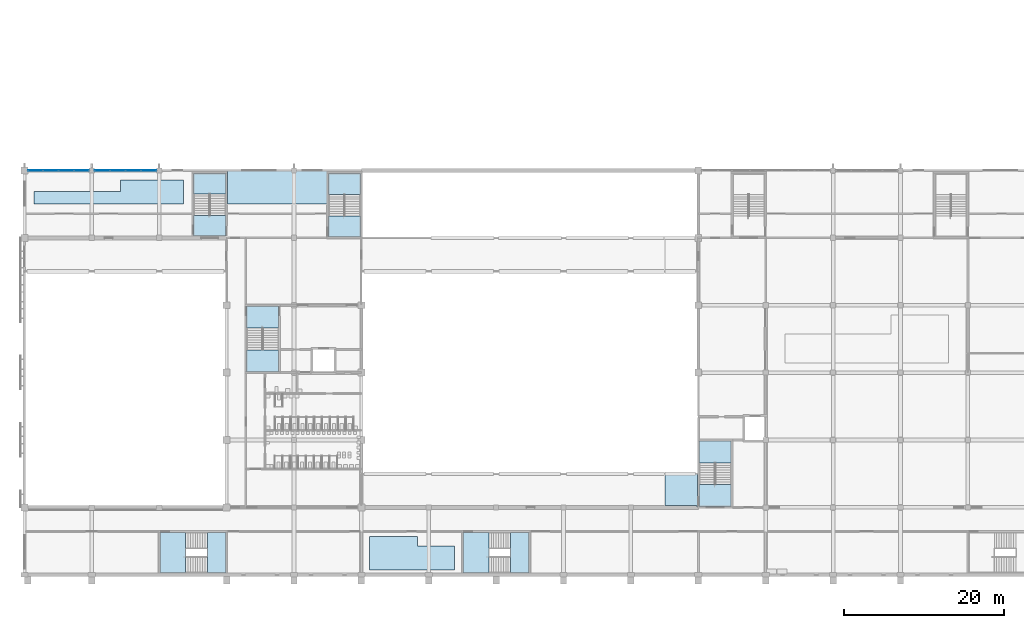
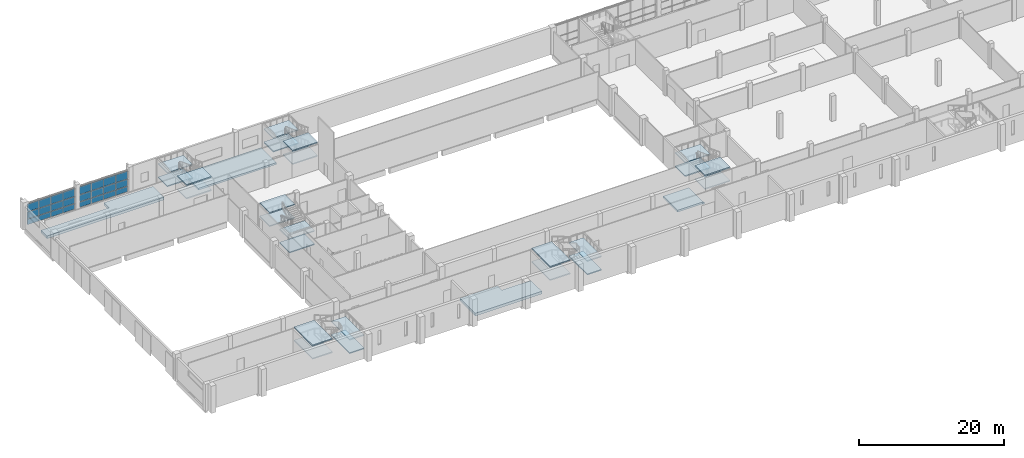
# One storey, part 15 of 64: 28 slabs, 24 plates, 8 elements without a shape of their own.
"""IFC4 building model written with IfcOpenShell, lengths in metres."""

from ifc_helpers import new_model, si_unit, direction, frame, origin, origin_2d, place, context, subcontext, project, spatial, polyline, rectangle, outline, extrude, material, layer, layer_set, type_object, element, aggregate, save


model = new_model("IFC4")

# Units and contexts
model_context = context("Model", 3, precision=1e-05, world=origin(), true_north=direction((0.0, 1.0)))
body_context = subcontext(model_context, "Body", "Model", "MODEL_VIEW")
ifc_project = project(units=[si_unit("LENGTHUNIT", "METRE"), si_unit("AREAUNIT", "SQUARE_METRE"), si_unit("VOLUMEUNIT", "CUBIC_METRE"), si_unit("PLANEANGLEUNIT", "RADIAN"), si_unit("MASSUNIT", "GRAM", prefix="KILO")], contexts=[model_context])

# Site, building, storey
site_placement = place(None, origin())
site = spatial("IfcSite", under=ifc_project, at=site_placement, CompositionType="ELEMENT")
building_placement = place(site_placement, origin())
building = spatial("IfcBuilding", under=site, at=building_placement, Name="Rulbaag Community and Learning Centre", CompositionType="ELEMENT")
storey_placement = place(building_placement, frame((0.0, 0.0, 5.39990234375)))
storey = spatial("IfcBuildingStorey", under=building, at=storey_placement, Name="L01", CompositionType="ELEMENT", Elevation=5.39990234375)

# Curtain wall, plates
ifc_material_1 = material(Name="Aluminium", Category="aluminium")
ifc_layer_1 = layer(ifc_material_1, 0.14990234375)
ifc_layer_set_1 = layer_set([ifc_layer_1], Name="CW-L")
curtain_wall_type = type_object("IfcCurtainWallType", Name="CW-L", PredefinedType="USERDEFINED", material=ifc_layer_set_1)
curtain_wall_1_placement = place(storey_placement, origin())
curtain_wall_1 = element("IfcCurtainWall", 1, at=curtain_wall_1_placement, inside=storey, type_object=curtain_wall_type, Name="GL-L01-01", ObjectType="STICK CURTAIN WALL", PredefinedType="USERDEFINED")
ifc_layer_2 = layer(ifc_material_1, 0.050048828125)
ifc_layer_set_2 = layer_set([ifc_layer_2], Name="CW-L-SPN")
plate_type_1 = type_object("IfcPlateType", Name="CW-L-SPN", PredefinedType="CURTAIN_PANEL", material=ifc_layer_set_2)
plate_1_placement = place(storey_placement, frame((1.3974609375, 50.39990234375, 0.06494140625), z_axis=(0.0, 0.0, 1.0), x_axis=(1.0, 0.0, 0.0)))
plate_1 = element("IfcPlate", 2, at=plate_1_placement, type_object=plate_type_1, Name="GL spandrel panel", PredefinedType="CURTAIN_PANEL", context=body_context, shape_type="SweptSolid", body=[
    extrude(rectangle(XDim=1.81494140625, YDim=0.050048828125, at=origin_2d()), origin(), (0.0, 0.0, 1.0), 0.902587890625),
])
plate_2_placement = place(storey_placement, frame((1.3974609375, 50.39990234375, 2.232421875), z_axis=(0.0, 0.0, 1.0), x_axis=(1.0, 0.0, 0.0)))
plate_2 = element("IfcPlate", 3, at=plate_2_placement, type_object=plate_type_1, Name="GL spandrel panel", PredefinedType="CURTAIN_PANEL", context=body_context, shape_type="SweptSolid", body=[
    extrude(rectangle(XDim=1.81494140625, YDim=0.050048828125, at=origin_2d()), origin(), (0.0, 0.0, 1.0), 1.302490234375),
])
plate_3_placement = place(storey_placement, frame((3.293701171875, 50.39990234375, 0.06494140625), z_axis=(0.0, 0.0, 1.0), x_axis=(1.0, 0.0, 0.0)))
plate_3 = element("IfcPlate", 4, at=plate_3_placement, type_object=plate_type_1, Name="GL spandrel panel", PredefinedType="CURTAIN_PANEL", context=body_context, shape_type="SweptSolid", body=[
    extrude(rectangle(XDim=1.847412109375, YDim=0.050048828125, at=origin_2d()), origin(), (0.0, 0.0, 1.0), 0.902587890625),
])
plate_4_placement = place(storey_placement, frame((3.293701171875, 50.39990234375, 2.232421875), z_axis=(0.0, 0.0, 1.0), x_axis=(1.0, 0.0, 0.0)))
plate_4 = element("IfcPlate", 5, at=plate_4_placement, type_object=plate_type_1, Name="GL spandrel panel", PredefinedType="CURTAIN_PANEL", context=body_context, shape_type="SweptSolid", body=[
    extrude(rectangle(XDim=1.847412109375, YDim=0.050048828125, at=origin_2d()), origin(), (0.0, 0.0, 1.0), 1.302490234375),
])
plate_5_placement = place(storey_placement, frame((5.206298828125, 50.39990234375, 0.06494140625), z_axis=(0.0, 0.0, 1.0), x_axis=(1.0, 0.0, 0.0)))
plate_5 = element("IfcPlate", 6, at=plate_5_placement, type_object=plate_type_1, Name="GL spandrel panel", PredefinedType="CURTAIN_PANEL", context=body_context, shape_type="SweptSolid", body=[
    extrude(rectangle(XDim=1.847412109375, YDim=0.050048828125, at=origin_2d()), origin(), (0.0, 0.0, 1.0), 0.902587890625),
])
plate_6_placement = place(storey_placement, frame((5.206298828125, 50.39990234375, 2.232421875), z_axis=(0.0, 0.0, 1.0), x_axis=(1.0, 0.0, 0.0)))
plate_6 = element("IfcPlate", 7, at=plate_6_placement, type_object=plate_type_1, Name="GL spandrel panel", PredefinedType="CURTAIN_PANEL", context=body_context, shape_type="SweptSolid", body=[
    extrude(rectangle(XDim=1.847412109375, YDim=0.050048828125, at=origin_2d()), origin(), (0.0, 0.0, 1.0), 1.302490234375),
])
plate_7_placement = place(storey_placement, frame((7.1025390625, 50.39990234375, 0.06494140625), z_axis=(0.0, 0.0, 1.0), x_axis=(1.0, 0.0, 0.0)))
plate_7 = element("IfcPlate", 8, at=plate_7_placement, type_object=plate_type_1, Name="GL spandrel panel", PredefinedType="CURTAIN_PANEL", context=body_context, shape_type="SweptSolid", body=[
    extrude(rectangle(XDim=1.81494140625, YDim=0.050048828125, at=origin_2d()), origin(), (0.0, 0.0, 1.0), 0.902587890625),
])
plate_8_placement = place(storey_placement, frame((7.1025390625, 50.39990234375, 2.232421875), z_axis=(0.0, 0.0, 1.0), x_axis=(1.0, 0.0, 0.0)))
plate_8 = element("IfcPlate", 9, at=plate_8_placement, type_object=plate_type_1, Name="GL spandrel panel", PredefinedType="CURTAIN_PANEL", context=body_context, shape_type="SweptSolid", body=[
    extrude(rectangle(XDim=1.81494140625, YDim=0.050048828125, at=origin_2d()), origin(), (0.0, 0.0, 1.0), 1.302490234375),
])

curtain_wall_2_placement = place(storey_placement, origin())
curtain_wall_2 = element("IfcCurtainWall", 10, at=curtain_wall_2_placement, inside=storey, type_object=curtain_wall_type, Name="GL-L01-02", ObjectType="STICK CURTAIN WALL", PredefinedType="USERDEFINED")
plate_9_placement = place(storey_placement, frame((9.7099609375, 50.39990234375, 0.06494140625), z_axis=(0.0, 0.0, 1.0), x_axis=(1.0, 0.0, 0.0)))
plate_9 = element("IfcPlate", 11, at=plate_9_placement, type_object=plate_type_1, Name="GL spandrel panel", PredefinedType="CURTAIN_PANEL", context=body_context, shape_type="SweptSolid", body=[
    extrude(rectangle(XDim=1.840087890625, YDim=0.050048828125, at=origin_2d()), origin(), (0.0, 0.0, 1.0), 0.902587890625),
])
plate_10_placement = place(storey_placement, frame((9.7099609375, 50.39990234375, 2.232421875), z_axis=(0.0, 0.0, 1.0), x_axis=(1.0, 0.0, 0.0)))
plate_10 = element("IfcPlate", 12, at=plate_10_placement, type_object=plate_type_1, Name="GL spandrel panel", PredefinedType="CURTAIN_PANEL", context=body_context, shape_type="SweptSolid", body=[
    extrude(rectangle(XDim=1.840087890625, YDim=0.050048828125, at=origin_2d()), origin(), (0.0, 0.0, 1.0), 1.302490234375),
])
plate_11_placement = place(storey_placement, frame((11.63134765625, 50.39990234375, 0.06494140625), z_axis=(0.0, 0.0, 1.0), x_axis=(1.0, 0.0, 0.0)))
plate_11 = element("IfcPlate", 13, at=plate_11_placement, type_object=plate_type_1, Name="GL spandrel panel", PredefinedType="CURTAIN_PANEL", context=body_context, shape_type="SweptSolid", body=[
    extrude(rectangle(XDim=1.87255859375, YDim=0.050048828125, at=origin_2d()), origin(), (0.0, 0.0, 1.0), 0.902587890625),
])
plate_12_placement = place(storey_placement, frame((11.63134765625, 50.39990234375, 2.232421875), z_axis=(0.0, 0.0, 1.0), x_axis=(1.0, 0.0, 0.0)))
plate_12 = element("IfcPlate", 14, at=plate_12_placement, type_object=plate_type_1, Name="GL spandrel panel", PredefinedType="CURTAIN_PANEL", context=body_context, shape_type="SweptSolid", body=[
    extrude(rectangle(XDim=1.87255859375, YDim=0.050048828125, at=origin_2d()), origin(), (0.0, 0.0, 1.0), 1.302490234375),
])
plate_13_placement = place(storey_placement, frame((13.56884765625, 50.39990234375, 0.06494140625), z_axis=(0.0, 0.0, 1.0), x_axis=(1.0, 0.0, 0.0)))
plate_13 = element("IfcPlate", 15, at=plate_13_placement, type_object=plate_type_1, Name="GL spandrel panel", PredefinedType="CURTAIN_PANEL", context=body_context, shape_type="SweptSolid", body=[
    extrude(rectangle(XDim=1.87255859375, YDim=0.050048828125, at=origin_2d()), origin(), (0.0, 0.0, 1.0), 0.902587890625),
])
plate_14_placement = place(storey_placement, frame((13.56884765625, 50.39990234375, 2.232421875), z_axis=(0.0, 0.0, 1.0), x_axis=(1.0, 0.0, 0.0)))
plate_14 = element("IfcPlate", 16, at=plate_14_placement, type_object=plate_type_1, Name="GL spandrel panel", PredefinedType="CURTAIN_PANEL", context=body_context, shape_type="SweptSolid", body=[
    extrude(rectangle(XDim=1.87255859375, YDim=0.050048828125, at=origin_2d()), origin(), (0.0, 0.0, 1.0), 1.302490234375),
])
plate_15_placement = place(storey_placement, frame((15.489990234375, 50.39990234375, 0.06494140625), z_axis=(0.0, 0.0, 1.0), x_axis=(1.0, 0.0, 0.0)))
plate_15 = element("IfcPlate", 17, at=plate_15_placement, type_object=plate_type_1, Name="GL spandrel panel", PredefinedType="CURTAIN_PANEL", context=body_context, shape_type="SweptSolid", body=[
    extrude(rectangle(XDim=1.840087890625, YDim=0.050048828125, at=origin_2d()), origin(), (0.0, 0.0, 1.0), 0.902587890625),
])
plate_16_placement = place(storey_placement, frame((15.489990234375, 50.39990234375, 2.232421875), z_axis=(0.0, 0.0, 1.0), x_axis=(1.0, 0.0, 0.0)))
plate_16 = element("IfcPlate", 18, at=plate_16_placement, type_object=plate_type_1, Name="GL spandrel panel", PredefinedType="CURTAIN_PANEL", context=body_context, shape_type="SweptSolid", body=[
    extrude(rectangle(XDim=1.840087890625, YDim=0.050048828125, at=origin_2d()), origin(), (0.0, 0.0, 1.0), 1.302490234375),
])

# Plate
ifc_material_2 = material(Name="Glass", Category="glass")
ifc_layer_3 = layer(ifc_material_2, 0.031982421875)
ifc_layer_set_3 = layer_set([ifc_layer_3], Name="CW-L-VIS")
plate_type_2 = type_object("IfcPlateType", Name="CW-L-VIS", PredefinedType="CURTAIN_PANEL", material=ifc_layer_set_3)
plate_17_placement = place(storey_placement, frame((1.3974609375, 50.39990234375, 1.03271484375), z_axis=(0.0, 0.0, 1.0), x_axis=(1.0, 0.0, 0.0)))
plate_17 = element("IfcPlate", 19, at=plate_17_placement, type_object=plate_type_2, Name="GL vision panel", PredefinedType="CURTAIN_PANEL", context=body_context, shape_type="SweptSolid", body=[
    extrude(rectangle(XDim=1.81494140625, YDim=0.031982421875, at=origin_2d()), origin(), (0.0, 0.0, 1.0), 1.135009765625),
])

plate_18_placement = place(storey_placement, frame((3.293701171875, 50.39990234375, 1.03271484375), z_axis=(0.0, 0.0, 1.0), x_axis=(1.0, 0.0, 0.0)))
plate_18 = element("IfcPlate", 20, at=plate_18_placement, type_object=plate_type_2, Name="GL vision panel", PredefinedType="CURTAIN_PANEL", context=body_context, shape_type="SweptSolid", body=[
    extrude(rectangle(XDim=1.847412109375, YDim=0.031982421875, at=origin_2d()), origin(), (0.0, 0.0, 1.0), 1.135009765625),
])

plate_19_placement = place(storey_placement, frame((5.206298828125, 50.39990234375, 1.03271484375), z_axis=(0.0, 0.0, 1.0), x_axis=(1.0, 0.0, 0.0)))
plate_19 = element("IfcPlate", 21, at=plate_19_placement, type_object=plate_type_2, Name="GL vision panel", PredefinedType="CURTAIN_PANEL", context=body_context, shape_type="SweptSolid", body=[
    extrude(rectangle(XDim=1.847412109375, YDim=0.031982421875, at=origin_2d()), origin(), (0.0, 0.0, 1.0), 1.135009765625),
])

plate_20_placement = place(storey_placement, frame((7.1025390625, 50.39990234375, 1.03271484375), z_axis=(0.0, 0.0, 1.0), x_axis=(1.0, 0.0, 0.0)))
plate_20 = element("IfcPlate", 22, at=plate_20_placement, type_object=plate_type_2, Name="GL vision panel", PredefinedType="CURTAIN_PANEL", context=body_context, shape_type="SweptSolid", body=[
    extrude(rectangle(XDim=1.81494140625, YDim=0.031982421875, at=origin_2d()), origin(), (0.0, 0.0, 1.0), 1.135009765625),
])

aggregate(curtain_wall_1, [plate_1, plate_17, plate_2, plate_3, plate_18, plate_4, plate_5, plate_19, plate_6, plate_7, plate_20, plate_8])

plate_21_placement = place(storey_placement, frame((9.7099609375, 50.39990234375, 1.03271484375), z_axis=(0.0, 0.0, 1.0), x_axis=(1.0, 0.0, 0.0)))
plate_21 = element("IfcPlate", 23, at=plate_21_placement, type_object=plate_type_2, Name="GL vision panel", PredefinedType="CURTAIN_PANEL", context=body_context, shape_type="SweptSolid", body=[
    extrude(rectangle(XDim=1.840087890625, YDim=0.031982421875, at=origin_2d()), origin(), (0.0, 0.0, 1.0), 1.135009765625),
])

plate_22_placement = place(storey_placement, frame((11.63134765625, 50.39990234375, 1.03271484375), z_axis=(0.0, 0.0, 1.0), x_axis=(1.0, 0.0, 0.0)))
plate_22 = element("IfcPlate", 24, at=plate_22_placement, type_object=plate_type_2, Name="GL vision panel", PredefinedType="CURTAIN_PANEL", context=body_context, shape_type="SweptSolid", body=[
    extrude(rectangle(XDim=1.87255859375, YDim=0.031982421875, at=origin_2d()), origin(), (0.0, 0.0, 1.0), 1.135009765625),
])

plate_23_placement = place(storey_placement, frame((13.56884765625, 50.39990234375, 1.03271484375), z_axis=(0.0, 0.0, 1.0), x_axis=(1.0, 0.0, 0.0)))
plate_23 = element("IfcPlate", 25, at=plate_23_placement, type_object=plate_type_2, Name="GL vision panel", PredefinedType="CURTAIN_PANEL", context=body_context, shape_type="SweptSolid", body=[
    extrude(rectangle(XDim=1.87255859375, YDim=0.031982421875, at=origin_2d()), origin(), (0.0, 0.0, 1.0), 1.135009765625),
])

plate_24_placement = place(storey_placement, frame((15.489990234375, 50.39990234375, 1.03271484375), z_axis=(0.0, 0.0, 1.0), x_axis=(1.0, 0.0, 0.0)))
plate_24 = element("IfcPlate", 26, at=plate_24_placement, type_object=plate_type_2, Name="GL vision panel", PredefinedType="CURTAIN_PANEL", context=body_context, shape_type="SweptSolid", body=[
    extrude(rectangle(XDim=1.840087890625, YDim=0.031982421875, at=origin_2d()), origin(), (0.0, 0.0, 1.0), 1.135009765625),
])

aggregate(curtain_wall_2, [plate_9, plate_21, plate_10, plate_11, plate_22, plate_12, plate_13, plate_23, plate_14, plate_15, plate_24, plate_16])

# Stair, slabs
ifc_material_3 = material(Name="Concrete M40", Category="concrete")
stair_type_1 = type_object("IfcStairType", Name="ST-2000 STAIR 2000 WIDE", PredefinedType="HALF_TURN_STAIR", material=ifc_material_3)
stair_1_placement = place(storey_placement, origin())
stair_1 = element("IfcStair", 27, at=stair_1_placement, inside=storey, type_object=stair_type_1, Name="Stair ST-H0 L01", PredefinedType="HALF_TURN_STAIR")
ifc_layer_4 = layer(ifc_material_3, 0.179931640625)
ifc_layer_set_4 = layer_set([ifc_layer_4], Name="LN-180 LANDING 180 Concrete M40")
slab_type_1 = type_object("IfcSlabType", Name="LN-180 LANDING 180 Concrete M40", PredefinedType="LANDING", material=ifc_layer_set_4)
slab_1_placement = place(storey_placement, frame((0.0, 0.0, 0.945068359375)))
slab_1 = element("IfcSlab", 28, at=slab_1_placement, type_object=slab_type_1, Name="ST-H0 landing 1", PredefinedType="LANDING", context=body_context, shape_type="SweptSolid", body=[
    extrude(outline(polyline([(21.10009765625, 47.487548828125), (21.10009765625, 50.02490234375), (25.10009765625, 50.02490234375), (25.10009765625, 47.487548828125), (21.10009765625, 47.487548828125)])), origin(), (0.0, 0.0, 1.0), 0.179931640625),
])
slab_2_placement = place(storey_placement, frame((0.0, 0.0, 2.070068359375)))
slab_2 = element("IfcSlab", 29, at=slab_2_placement, type_object=slab_type_1, Name="ST-H0 landing 2", PredefinedType="LANDING", context=body_context, shape_type="SweptSolid", body=[
    extrude(outline(polyline([(21.10009765625, 42.25), (21.10009765625, 44.78759765625), (25.10009765625, 44.78759765625), (25.10009765625, 42.25), (21.10009765625, 42.25)])), origin(), (0.0, 0.0, 1.0), 0.179931640625),
])
slab_3_placement = place(storey_placement, frame((0.0, 0.0, 3.195068359375)))
slab_3 = element("IfcSlab", 30, at=slab_3_placement, type_object=slab_type_1, Name="ST-H0 landing 3", PredefinedType="LANDING", context=body_context, shape_type="SweptSolid", body=[
    extrude(outline(polyline([(21.10009765625, 47.487548828125), (21.10009765625, 50.02490234375), (25.10009765625, 50.02490234375), (25.10009765625, 47.487548828125), (21.10009765625, 47.487548828125)])), origin(), (0.0, 0.0, 1.0), 0.179931640625),
])
slab_4_placement = place(storey_placement, frame((0.0, 0.0, 4.320068359375)))
slab_4 = element("IfcSlab", 31, at=slab_4_placement, type_object=slab_type_1, Name="ST-H0 landing 4", PredefinedType="LANDING", context=body_context, shape_type="SweptSolid", body=[
    extrude(outline(polyline([(21.10009765625, 42.25), (21.10009765625, 44.78759765625), (25.10009765625, 44.78759765625), (25.10009765625, 42.25), (21.10009765625, 42.25)])), origin(), (0.0, 0.0, 1.0), 0.179931640625),
])
aggregate(stair_1, [slab_1, slab_2, slab_3, slab_4])

stair_2_placement = place(storey_placement, origin())
stair_2 = element("IfcStair", 32, at=stair_2_placement, inside=storey, type_object=stair_type_1, Name="Stair ST-H1 L01", PredefinedType="HALF_TURN_STAIR")
slab_5_placement = place(storey_placement, frame((0.0, 0.0, 0.945068359375)))
slab_5 = element("IfcSlab", 33, at=slab_5_placement, type_object=slab_type_1, Name="ST-H1 landing 1", PredefinedType="LANDING", context=body_context, shape_type="SweptSolid", body=[
    extrude(outline(polyline([(27.699951171875, 25.300048828125), (27.699951171875, 28.050048828125), (31.699951171875, 28.050048828125), (31.699951171875, 25.300048828125), (27.699951171875, 25.300048828125)])), origin(), (0.0, 0.0, 1.0), 0.179931640625),
])
slab_6_placement = place(storey_placement, frame((0.0, 0.0, 2.070068359375)))
slab_6 = element("IfcSlab", 34, at=slab_6_placement, type_object=slab_type_1, Name="ST-H1 landing 2", PredefinedType="LANDING", context=body_context, shape_type="SweptSolid", body=[
    extrude(outline(polyline([(27.699951171875, 30.75), (27.699951171875, 33.5), (31.699951171875, 33.5), (31.699951171875, 30.75), (27.699951171875, 30.75)])), origin(), (0.0, 0.0, 1.0), 0.179931640625),
])
slab_7_placement = place(storey_placement, frame((0.0, 0.0, 3.195068359375)))
slab_7 = element("IfcSlab", 35, at=slab_7_placement, type_object=slab_type_1, Name="ST-H1 landing 3", PredefinedType="LANDING", context=body_context, shape_type="SweptSolid", body=[
    extrude(outline(polyline([(27.699951171875, 25.300048828125), (27.699951171875, 28.050048828125), (31.699951171875, 28.050048828125), (31.699951171875, 25.300048828125), (27.699951171875, 25.300048828125)])), origin(), (0.0, 0.0, 1.0), 0.179931640625),
])
slab_8_placement = place(storey_placement, frame((0.0, 0.0, 4.320068359375)))
slab_8 = element("IfcSlab", 36, at=slab_8_placement, type_object=slab_type_1, Name="ST-H1 landing 4", PredefinedType="LANDING", context=body_context, shape_type="SweptSolid", body=[
    extrude(outline(polyline([(27.699951171875, 30.75), (27.699951171875, 33.5), (31.699951171875, 33.5), (31.699951171875, 30.75), (27.699951171875, 30.75)])), origin(), (0.0, 0.0, 1.0), 0.179931640625),
])
aggregate(stair_2, [slab_5, slab_6, slab_7, slab_8])

stair_3_placement = place(storey_placement, origin())
stair_3 = element("IfcStair", 37, at=stair_3_placement, inside=storey, type_object=stair_type_1, Name="Stair ST-H2 L01", PredefinedType="HALF_TURN_STAIR")
slab_9_placement = place(storey_placement, frame((0.0, 0.0, 0.945068359375)))
slab_9 = element("IfcSlab", 38, at=slab_9_placement, type_object=slab_type_1, Name="ST-H2 landing 1", PredefinedType="LANDING", context=body_context, shape_type="SweptSolid", body=[
    extrude(outline(polyline([(84.10009765625, 13.949951171875), (84.10009765625, 16.699951171875), (88.10009765625, 16.699951171875), (88.10009765625, 13.949951171875), (84.10009765625, 13.949951171875)])), origin(), (0.0, 0.0, 1.0), 0.179931640625),
])
slab_10_placement = place(storey_placement, frame((0.0, 0.0, 2.070068359375)))
slab_10 = element("IfcSlab", 39, at=slab_10_placement, type_object=slab_type_1, Name="ST-H2 landing 2", PredefinedType="LANDING", context=body_context, shape_type="SweptSolid", body=[
    extrude(outline(polyline([(84.10009765625, 8.5), (84.10009765625, 11.25), (88.10009765625, 11.25), (88.10009765625, 8.5), (84.10009765625, 8.5)])), origin(), (0.0, 0.0, 1.0), 0.179931640625),
])
slab_11_placement = place(storey_placement, frame((0.0, 0.0, 3.195068359375)))
slab_11 = element("IfcSlab", 40, at=slab_11_placement, type_object=slab_type_1, Name="ST-H2 landing 3", PredefinedType="LANDING", context=body_context, shape_type="SweptSolid", body=[
    extrude(outline(polyline([(84.10009765625, 13.949951171875), (84.10009765625, 16.699951171875), (88.10009765625, 16.699951171875), (88.10009765625, 13.949951171875), (84.10009765625, 13.949951171875)])), origin(), (0.0, 0.0, 1.0), 0.179931640625),
])
slab_12_placement = place(storey_placement, frame((0.0, 0.0, 4.320068359375)))
slab_12 = element("IfcSlab", 41, at=slab_12_placement, type_object=slab_type_1, Name="ST-H2 landing 4", PredefinedType="LANDING", context=body_context, shape_type="SweptSolid", body=[
    extrude(outline(polyline([(84.10009765625, 8.5), (84.10009765625, 11.25), (88.10009765625, 11.25), (88.10009765625, 8.5), (84.10009765625, 8.5)])), origin(), (0.0, 0.0, 1.0), 0.179931640625),
])
aggregate(stair_3, [slab_9, slab_10, slab_11, slab_12])

stair_4_placement = place(storey_placement, origin())
stair_4 = element("IfcStair", 42, at=stair_4_placement, inside=storey, type_object=stair_type_1, Name="Stair ST-H5 L01", PredefinedType="HALF_TURN_STAIR")
slab_13_placement = place(storey_placement, frame((0.0, 0.0, 0.945068359375)))
slab_13 = element("IfcSlab", 43, at=slab_13_placement, type_object=slab_type_1, Name="ST-H5 landing 1", PredefinedType="LANDING", context=body_context, shape_type="SweptSolid", body=[
    extrude(outline(polyline([(37.89990234375, 47.41259765625), (37.89990234375, 50.02490234375), (41.89990234375, 50.02490234375), (41.89990234375, 47.41259765625), (37.89990234375, 47.41259765625)])), origin(), (0.0, 0.0, 1.0), 0.179931640625),
])
slab_14_placement = place(storey_placement, frame((0.0, 0.0, 2.070068359375)))
slab_14 = element("IfcSlab", 44, at=slab_14_placement, type_object=slab_type_1, Name="ST-H5 landing 2", PredefinedType="LANDING", context=body_context, shape_type="SweptSolid", body=[
    extrude(outline(polyline([(37.89990234375, 42.10009765625), (37.89990234375, 44.71240234375), (41.89990234375, 44.71240234375), (41.89990234375, 42.10009765625), (37.89990234375, 42.10009765625)])), origin(), (0.0, 0.0, 1.0), 0.179931640625),
])
slab_15_placement = place(storey_placement, frame((0.0, 0.0, 3.195068359375)))
slab_15 = element("IfcSlab", 45, at=slab_15_placement, type_object=slab_type_1, Name="ST-H5 landing 3", PredefinedType="LANDING", context=body_context, shape_type="SweptSolid", body=[
    extrude(outline(polyline([(37.89990234375, 47.41259765625), (37.89990234375, 50.02490234375), (41.89990234375, 50.02490234375), (41.89990234375, 47.41259765625), (37.89990234375, 47.41259765625)])), origin(), (0.0, 0.0, 1.0), 0.179931640625),
])
slab_16_placement = place(storey_placement, frame((0.0, 0.0, 4.320068359375)))
slab_16 = element("IfcSlab", 46, at=slab_16_placement, type_object=slab_type_1, Name="ST-H5 landing 4", PredefinedType="LANDING", context=body_context, shape_type="SweptSolid", body=[
    extrude(outline(polyline([(37.89990234375, 42.10009765625), (37.89990234375, 44.71240234375), (41.89990234375, 44.71240234375), (41.89990234375, 42.10009765625), (37.89990234375, 42.10009765625)])), origin(), (0.0, 0.0, 1.0), 0.179931640625),
])
aggregate(stair_4, [slab_13, slab_14, slab_15, slab_16])

stair_type_2 = type_object("IfcStairType", Name="ST-2100 STAIR 2100 WIDE", PredefinedType="HALF_TURN_STAIR", material=ifc_material_3)
stair_5_placement = place(storey_placement, origin())
stair_5 = element("IfcStair", 47, at=stair_5_placement, inside=storey, type_object=stair_type_2, Name="Stair ST-H8 L01", PredefinedType="HALF_TURN_STAIR")
slab_17_placement = place(storey_placement, frame((0.0, 0.0, 0.945068359375)))
slab_17 = element("IfcSlab", 48, at=slab_17_placement, type_object=slab_type_1, Name="ST-H8 landing 1", PredefinedType="LANDING", context=body_context, shape_type="SweptSolid", body=[
    extrude(outline(polyline([(60.60009765625, 0.22509765625), (62.89990234375, 0.22509765625), (62.89990234375, 5.300048828125), (60.60009765625, 5.300048828125), (60.60009765625, 0.22509765625)])), origin(), (0.0, 0.0, 1.0), 0.179931640625),
])
slab_18_placement = place(storey_placement, frame((0.0, 0.0, 2.070068359375)))
slab_18 = element("IfcSlab", 49, at=slab_18_placement, type_object=slab_type_1, Name="ST-H8 landing 2", PredefinedType="LANDING", context=body_context, shape_type="SweptSolid", body=[
    extrude(outline(polyline([(54.699951171875, 0.22509765625), (57.89990234375, 0.22509765625), (57.89990234375, 5.300048828125), (54.699951171875, 5.300048828125), (54.699951171875, 0.22509765625)])), origin(), (0.0, 0.0, 1.0), 0.179931640625),
])
slab_19_placement = place(storey_placement, frame((0.0, 0.0, 3.195068359375)))
slab_19 = element("IfcSlab", 50, at=slab_19_placement, type_object=slab_type_1, Name="ST-H8 landing 3", PredefinedType="LANDING", context=body_context, shape_type="SweptSolid", body=[
    extrude(outline(polyline([(60.60009765625, 0.22509765625), (62.89990234375, 0.22509765625), (62.89990234375, 5.300048828125), (60.60009765625, 5.300048828125), (60.60009765625, 0.22509765625)])), origin(), (0.0, 0.0, 1.0), 0.179931640625),
])
slab_20_placement = place(storey_placement, frame((0.0, 0.0, 4.320068359375)))
slab_20 = element("IfcSlab", 51, at=slab_20_placement, type_object=slab_type_1, Name="ST-H8 landing 4", PredefinedType="LANDING", context=body_context, shape_type="SweptSolid", body=[
    extrude(outline(polyline([(54.699951171875, 0.22509765625), (57.89990234375, 0.22509765625), (57.89990234375, 5.300048828125), (54.699951171875, 5.300048828125), (54.699951171875, 0.22509765625)])), origin(), (0.0, 0.0, 1.0), 0.179931640625),
])
aggregate(stair_5, [slab_17, slab_18, slab_19, slab_20])

stair_6_placement = place(storey_placement, origin())
stair_6 = element("IfcStair", 52, at=stair_6_placement, inside=storey, type_object=stair_type_2, Name="Stair ST-H9 L01", PredefinedType="HALF_TURN_STAIR")
slab_21_placement = place(storey_placement, frame((0.0, 0.0, 0.945068359375)))
slab_21 = element("IfcSlab", 53, at=slab_21_placement, type_object=slab_type_1, Name="ST-H9 landing 1", PredefinedType="LANDING", context=body_context, shape_type="SweptSolid", body=[
    extrude(outline(polyline([(22.800048828125, 0.22509765625), (25.10009765625, 0.22509765625), (25.10009765625, 5.300048828125), (22.800048828125, 5.300048828125), (22.800048828125, 0.22509765625)])), origin(), (0.0, 0.0, 1.0), 0.179931640625),
])
slab_22_placement = place(storey_placement, frame((0.0, 0.0, 2.070068359375)))
slab_22 = element("IfcSlab", 54, at=slab_22_placement, type_object=slab_type_1, Name="ST-H9 landing 2", PredefinedType="LANDING", context=body_context, shape_type="SweptSolid", body=[
    extrude(outline(polyline([(16.89990234375, 0.22509765625), (20.10009765625, 0.22509765625), (20.10009765625, 5.300048828125), (16.89990234375, 5.300048828125), (16.89990234375, 0.22509765625)])), origin(), (0.0, 0.0, 1.0), 0.179931640625),
])
slab_23_placement = place(storey_placement, frame((0.0, 0.0, 3.195068359375)))
slab_23 = element("IfcSlab", 55, at=slab_23_placement, type_object=slab_type_1, Name="ST-H9 landing 3", PredefinedType="LANDING", context=body_context, shape_type="SweptSolid", body=[
    extrude(outline(polyline([(22.800048828125, 0.22509765625), (25.10009765625, 0.22509765625), (25.10009765625, 5.300048828125), (22.800048828125, 5.300048828125), (22.800048828125, 0.22509765625)])), origin(), (0.0, 0.0, 1.0), 0.179931640625),
])
slab_24_placement = place(storey_placement, frame((0.0, 0.0, 4.320068359375)))
slab_24 = element("IfcSlab", 56, at=slab_24_placement, type_object=slab_type_1, Name="ST-H9 landing 4", PredefinedType="LANDING", context=body_context, shape_type="SweptSolid", body=[
    extrude(outline(polyline([(16.89990234375, 0.22509765625), (20.10009765625, 0.22509765625), (20.10009765625, 5.300048828125), (16.89990234375, 5.300048828125), (16.89990234375, 0.22509765625)])), origin(), (0.0, 0.0, 1.0), 0.179931640625),
])
aggregate(stair_6, [slab_21, slab_22, slab_23, slab_24])

# Slabs
ifc_layer_5 = layer(ifc_material_3, 0.449951171875)
ifc_layer_set_5 = layer_set([ifc_layer_5], Name="S25 Raised platform, library and control room 450 Concrete M40")
slab_type_2 = type_object("IfcSlabType", Name="S25 Raised platform, library and control room 450 Concrete M40", PredefinedType="USERDEFINED", material=ifc_layer_set_5)
slab_25_placement = place(storey_placement, origin())
element("IfcSlab", 57, at=slab_25_placement, inside=storey, type_object=slab_type_2, Name="SL-PLAT-BOOTH", ObjectType="RAISED PLATFORM", PredefinedType="USERDEFINED", context=body_context, shape_type="SweptSolid", body=[
    extrude(outline(polyline([(43.0, 0.60009765625), (53.60009765625, 0.60009765625), (53.60009765625, 3.60009765625), (49.0, 3.60009765625), (49.0, 4.800048828125), (43.0, 4.800048828125), (43.0, 0.60009765625)])), origin(), (0.0, 0.0, 1.0), 0.4501953125),
])
slab_26_placement = place(storey_placement, origin())
element("IfcSlab", 58, at=slab_26_placement, inside=storey, type_object=slab_type_2, Name="SL-PLAT-READ-W", ObjectType="RAISED PLATFORM", PredefinedType="USERDEFINED", context=body_context, shape_type="SweptSolid", body=[
    extrude(outline(polyline([(1.199951171875, 46.199951171875), (19.800048828125, 46.199951171875), (19.800048828125, 49.199951171875), (12.0, 49.199951171875), (12.0, 47.800048828125), (1.199951171875, 47.800048828125), (1.199951171875, 46.199951171875)])), origin(), (0.0, 0.0, 1.0), 0.4501953125),
])
ifc_layer_6 = layer(ifc_material_3, 0.300048828125)
ifc_layer_set_6 = layer_set([ifc_layer_6], Name="S5 Floor slab 300 Concrete M40")
slab_type_3 = type_object("IfcSlabType", Name="S5 Floor slab 300 Concrete M40", PredefinedType="FLOOR", material=ifc_layer_set_6)
slab_27_placement = place(storey_placement, frame((0.0, 0.0, -0.2998046875)))
element("IfcSlab", 59, at=slab_27_placement, inside=storey, type_object=slab_type_3, Name="SL-L01-A02", PredefinedType="FLOOR", context=body_context, shape_type="SweptSolid", body=[
    extrude(outline(polyline([(83.752197265625, 8.561279296875), (83.7587890625, 8.575439453125), (83.76708984375, 8.5888671875), (83.7763671875, 8.6015625), (83.786865234375, 8.613037109375), (83.798583984375, 8.623779296875), (83.81103515625, 8.633056640625), (83.82470703125, 8.64111328125), (83.8388671875, 8.647705078125), (83.844970703125, 8.64990234375), (79.824951171875, 8.64990234375), (79.824951171875, 12.60009765625), (83.89990234375, 12.60009765625), (83.89990234375, 8.659912109375), (84.06005859375, 8.659912109375), (84.06005859375, 8.64990234375), (84.05908203125, 8.63427734375), (84.056884765625, 8.618896484375), (84.052978515625, 8.603515625), (84.0478515625, 8.5888671875), (84.041015625, 8.57470703125), (84.032958984375, 8.56103515625), (84.023681640625, 8.548583984375), (84.01318359375, 8.536865234375), (84.00146484375, 8.5263671875), (83.989013671875, 8.51708984375), (83.975341796875, 8.5087890625), (83.961181640625, 8.502197265625), (83.955078125, 8.5), (83.89990234375, 8.5), (83.89990234375, 8.489990234375), (83.739990234375, 8.489990234375), (83.739990234375, 8.5), (83.74072265625, 8.515625), (83.7431640625, 8.53125), (83.746826171875, 8.54638671875), (83.752197265625, 8.561279296875)])), origin(), (0.0, 0.0, 1.0), 0.2998046875),
])
slab_28_placement = place(storey_placement, frame((0.0, 0.0, -0.2998046875)))
element("IfcSlab", 60, at=slab_28_placement, inside=storey, type_object=slab_type_3, Name="SL-L01-A03", PredefinedType="FLOOR", context=body_context, shape_type="SweptSolid", body=[
    extrude(outline(polyline([(25.300048828125, 46.22509765625), (25.300048828125, 50.39990234375), (37.699951171875, 50.39990234375), (37.699951171875, 46.22509765625), (25.300048828125, 46.22509765625)])), origin(), (0.0, 0.0, 1.0), 0.2998046875),
])

save(model, "model.ifc")
